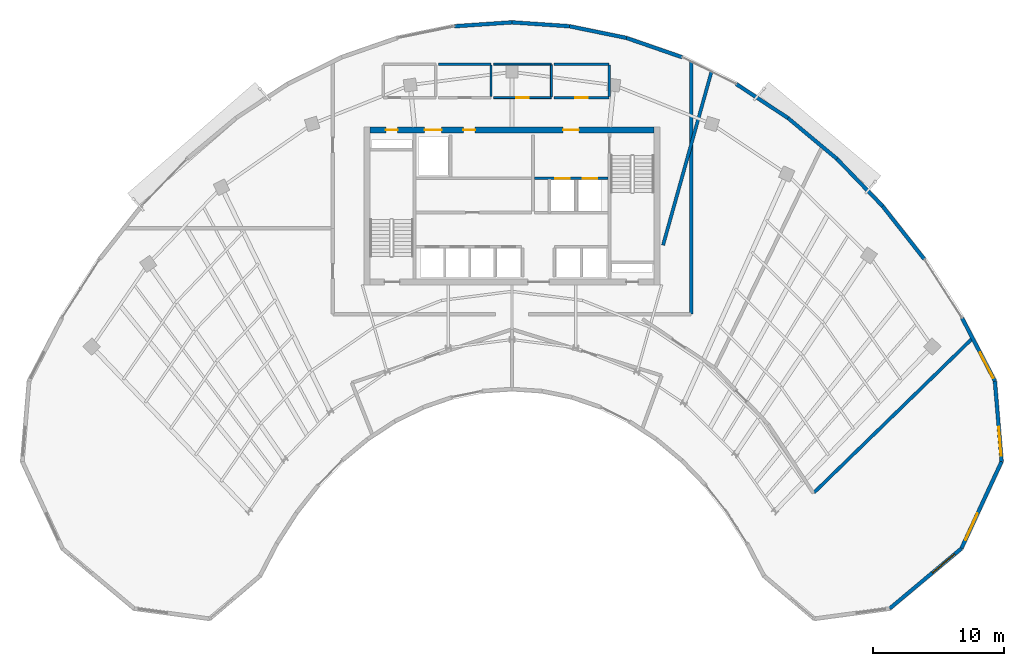
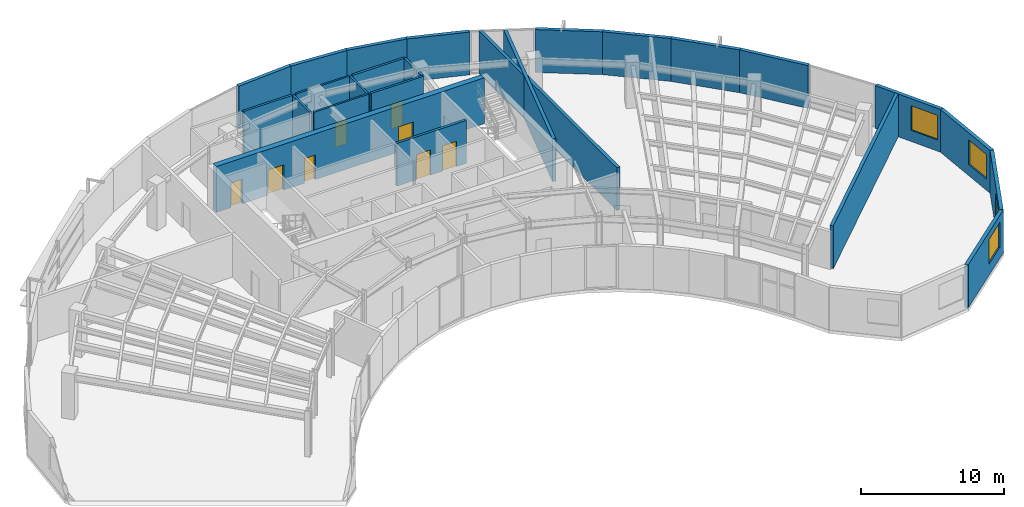
# One storey, part 10 of 13: 25 walls, 8 doors, 4 windows, 12 openings.
"""IFC4 building model written with IfcOpenShell, lengths in metres."""

from ifc_helpers import new_model, si_unit, direction, frame, frame_2d, origin, place, context, subcontext, project, spatial, rectangle, extrude, source, transform, mapped, material, layer, layer_set, type_object, type_shapes, element, fill, save


model = new_model("IFC4")

# Units and contexts
model_context = context("Model", 3, precision=1e-05, world=origin(), true_north=direction((0.0, 1.0)))
body_context = subcontext(model_context, "Body", "Model", "MODEL_VIEW")
ifc_project = project(units=[si_unit("LENGTHUNIT", "METRE"), si_unit("AREAUNIT", "SQUARE_METRE"), si_unit("VOLUMEUNIT", "CUBIC_METRE"), si_unit("PLANEANGLEUNIT", "RADIAN"), si_unit("MASSUNIT", "GRAM", prefix="KILO")], contexts=[model_context])

# Site, building, storey
site_placement = place(None, origin())
site = spatial("IfcSite", under=ifc_project, at=site_placement, CompositionType="ELEMENT")
building_placement = place(site_placement, origin())
building = spatial("IfcBuilding", under=site, at=building_placement, Name="Breltana Convention Tower", CompositionType="ELEMENT")
storey_placement = place(building_placement, frame((0.0, 0.0, 227.39990234375)))
storey = spatial("IfcBuildingStorey", under=building, at=storey_placement, Name="L55", CompositionType="ELEMENT", Elevation=227.39990234375)

# Wall, openings, doors
ifc_material_1 = material(Name="Concrete C60/75", Category="concrete")
ifc_layer_1 = layer(ifc_material_1, 0.449951171875, Name="Concrete C60/75")
ifc_layer_set_1 = layer_set([ifc_layer_1], Name="Concrete C60/75")
wall_type_1 = type_object("IfcWallType", Name="SW-CORE-450", PredefinedType="SHEAR", material=ifc_layer_set_1)
shared_shape_1 = source(origin(), body_context, "Body", "SweptSolid", [
    extrude(rectangle(XDim=21.60009765625, YDim=0.449951171875, at=frame_2d((10.800048828125, 0.0))), origin(), (0.0, 0.0, 1.0), 3.900146484375),
])
wall_1_placement = place(storey_placement, frame((37.199951171875, 71.97509765625, 0.0), z_axis=(0.0, 0.0, 1.0), x_axis=(1.0, 0.0, 0.0)))
wall_1 = element("IfcWall", 1, at=wall_1_placement, inside=storey, type_object=wall_type_1, Name="L55 North Core Shear Wall", PredefinedType="SHEAR", context=body_context, shape_type="MappedRepresentation", body=[
    mapped(shared_shape_1, transform((0.0, 0.0, 0.0), scale=1.0)),
])
opening_1_placement = place(wall_1_placement, frame((1.199951171875, 0.0, 0.0)))
opening_1 = element("IfcOpeningElement", 2, at=opening_1_placement, cuts=wall_1, Name="Opening D-18", PredefinedType="OPENING", context=body_context, shape_type="SweptSolid", body=[
    extrude(rectangle(XDim=0.89990234375, YDim=2.10009765625, at=frame_2d((0.449951171875, 1.050048828125))), frame((0.0, 0.23486328125, 0.0), z_axis=(0.0, -1.0, 0.0), x_axis=(1.0, 0.0, 0.0)), (0.0, 0.0, 1.0), 0.469970703125),
])
opening_2_placement = place(wall_1_placement, frame((14.699951171875, 0.0, 0.0)))
opening_2 = element("IfcOpeningElement", 3, at=opening_2_placement, cuts=wall_1, Name="Opening D-09", PredefinedType="OPENING", context=body_context, shape_type="SweptSolid", body=[
    extrude(rectangle(XDim=1.199951171875, YDim=2.14990234375, at=frame_2d((0.60009765625, 1.074951171875))), frame((0.0, 0.23486328125, 0.0), z_axis=(0.0, -1.0, 0.0), x_axis=(1.0, 0.0, 0.0)), (0.0, 0.0, 1.0), 0.469970703125),
])
opening_3_placement = place(wall_1_placement, frame((4.14990234375, 0.0, 0.0)))
opening_3 = element("IfcOpeningElement", 4, at=opening_3_placement, cuts=wall_1, Name="Opening LD-01", PredefinedType="OPENING", context=body_context, shape_type="SweptSolid", body=[
    extrude(rectangle(XDim=1.300048828125, YDim=2.14990234375, at=frame_2d((0.64990234375, 1.074951171875))), frame((0.0, 0.23486328125, 0.0), z_axis=(0.0, -1.0, 0.0), x_axis=(1.0, 0.0, 0.0)), (0.0, 0.0, 1.0), 0.469970703125),
])
opening_4_placement = place(wall_1_placement, frame((7.10009765625, 0.0, 0.0)))
opening_4 = element("IfcOpeningElement", 5, at=opening_4_placement, cuts=wall_1, Name="Opening D-18", PredefinedType="OPENING", context=body_context, shape_type="SweptSolid", body=[
    extrude(rectangle(XDim=0.89990234375, YDim=2.10009765625, at=frame_2d((0.449951171875, 1.050048828125))), frame((0.0, 0.23486328125, 0.0), z_axis=(0.0, -1.0, 0.0), x_axis=(1.0, 0.0, 0.0)), (0.0, 0.0, 1.0), 0.469970703125),
])
ifc_material_2 = material(Name="Steel Riser Fire Door", Category="steel")
door_type_1 = type_object("IfcDoorType", Name="DR-FD60-900", OperationType="NOTDEFINED", PredefinedType="DOOR", material=ifc_material_2)
shared_shape_2 = source(origin(), body_context, "Body", "SweptSolid", [
    extrude(rectangle(XDim=0.89990234375, YDim=2.10009765625, at=frame_2d((0.449951171875, 1.050048828125))), frame((0.0, 0.02490234375, 0.0), z_axis=(0.0, -1.0, 0.0), x_axis=(1.0, 0.0, 0.0)), (0.0, 0.0, 1.0), 0.050048828125),
])
type_shapes(door_type_1, [shared_shape_2])
door_1_placement = place(opening_1_placement, origin())
door_1 = element("IfcDoor", 6, at=door_1_placement, inside=storey, type_object=door_type_1, Name="L55 Core Riser Access Door D-L55-RS1", OperationType="SINGLE_SWING_LEFT", OverallHeight=2.10009765625, OverallWidth=0.89990234375, PredefinedType="DOOR", context=body_context, shape_type="MappedRepresentation", body=[
    mapped(shared_shape_2, transform((0.0, 0.0, 0.0), scale=1.0)),
])
fill(opening_1, door_1)
door_2_placement = place(opening_4_placement, origin())
door_2 = element("IfcDoor", 7, at=door_2_placement, inside=storey, type_object=door_type_1, Name="L55 interior door D-L55-CRA1", OperationType="SINGLE_SWING_LEFT", OverallHeight=2.10009765625, OverallWidth=0.89990234375, PredefinedType="DOOR", context=body_context, shape_type="MappedRepresentation", body=[
    mapped(shared_shape_2, transform((0.0, 0.0, 0.0), scale=1.0)),
])
fill(opening_4, door_2)
ifc_material_3 = material(Name="Steel Fire Lobby Door", Category="steel")
door_type_2 = type_object("IfcDoorType", Name="DR-FD120-1200", OperationType="NOTDEFINED", PredefinedType="DOOR", material=ifc_material_3)
shared_shape_3 = source(origin(), body_context, "Body", "SweptSolid", [
    extrude(rectangle(XDim=1.199951171875, YDim=2.14990234375, at=frame_2d((0.60009765625, 1.074951171875))), frame((0.0, 0.02490234375, 0.0), z_axis=(0.0, -1.0, 0.0), x_axis=(1.0, 0.0, 0.0)), (0.0, 0.0, 1.0), 0.050048828125),
])
type_shapes(door_type_2, [shared_shape_3])
door_3_placement = place(opening_2_placement, origin())
door_3 = element("IfcDoor", 8, at=door_3_placement, inside=storey, type_object=door_type_2, Name="L55 interior door D-L55-FFL-N", OperationType="SINGLE_SWING_RIGHT", OverallHeight=2.14990234375, OverallWidth=1.199951171875, PredefinedType="DOOR", context=body_context, shape_type="MappedRepresentation", body=[
    mapped(shared_shape_3, transform((0.0, 0.0, 0.0), scale=1.0)),
])
fill(opening_2, door_3)
ifc_material_4 = material(Name="Stainless Steel Brushed", Category="steel")
door_type_3 = type_object("IfcDoorType", Name="DR-LD-SRV-1300", OperationType="DOUBLE_DOOR_SLIDING", PredefinedType="DOOR", material=ifc_material_4)
shared_shape_4 = source(origin(), body_context, "Body", "SweptSolid", [
    extrude(rectangle(XDim=1.300048828125, YDim=2.14990234375, at=frame_2d((0.64990234375, 1.074951171875))), frame((0.0, 0.02490234375, 0.0), z_axis=(0.0, -1.0, 0.0), x_axis=(1.0, 0.0, 0.0)), (0.0, 0.0, 1.0), 0.050048828125),
])
type_shapes(door_type_3, [shared_shape_4])
door_4_placement = place(opening_3_placement, origin())
door_4 = element("IfcDoor", 9, at=door_4_placement, inside=storey, type_object=door_type_3, Name="L55 Lift Landing Door D-L55-LD-SV1", OperationType="DOUBLE_DOOR_SLIDING", OverallHeight=2.14990234375, OverallWidth=1.300048828125, PredefinedType="DOOR", context=body_context, shape_type="MappedRepresentation", body=[
    mapped(shared_shape_4, transform((0.0, 0.0, 0.0), scale=1.0)),
])
fill(opening_3, door_4)

# Wall, opening, window
ifc_material_5 = material(Name="Limestone Buff Insulated Wall", Category="masonry")
ifc_layer_2 = layer(ifc_material_5, 0.280029296875, Name="Limestone Buff Insulated Wall")
ifc_layer_set_2 = layer_set([ifc_layer_2], Name="Limestone Buff Insulated Wall")
wall_type_2 = type_object("IfcWallType", Name="WL-EXT-NOSE-280", PredefinedType="SOLIDWALL", material=ifc_layer_set_2)
shared_shape_5 = source(origin(), body_context, "Body", "SweptSolid", [
    extrude(rectangle(XDim=6.145751953125, YDim=0.280029296875, at=frame_2d((3.07275390625, 0.0))), origin(), (0.0, 0.0, 1.0), 3.650146484375),
])
wall_2_placement = place(storey_placement, frame((84.756103515625, 52.87353515625, 0.0), z_axis=(0.0, 0.0, 1.0), x_axis=(0.083301904456, -0.996524356307, 0.0)))
wall_2 = element("IfcWall", 10, at=wall_2_placement, inside=storey, type_object=wall_type_2, Name="L55 curved limestone nose wall E1", PredefinedType="SOLIDWALL", context=body_context, shape_type="MappedRepresentation", body=[
    mapped(shared_shape_5, transform((0.0, 0.0, 0.0), scale=1.0)),
])
opening_5_placement = place(wall_2_placement, frame((3.50927734375, 0.0, 0.949951171875)))
opening_5 = element("IfcOpeningElement", 11, at=opening_5_placement, cuts=wall_2, Name="Opening W-03", PredefinedType="OPENING", context=body_context, shape_type="SweptSolid", body=[
    extrude(rectangle(XDim=2.199951171875, YDim=2.10009765625, at=frame_2d((1.10009765625, 1.050048828125))), frame((0.0, 0.14990234375, 0.0), z_axis=(0.0, -1.0, 0.0), x_axis=(1.0, 0.0, 0.0)), (0.0, 0.0, 1.0), 0.300048828125),
])
ifc_material_6 = material(Name="Glass Low-E Insulated Window", Category="glass")
window_type = type_object("IfcWindowType", Name="WN-NOSE-2200X2100", PartitioningType="TRIPLE_PANEL_VERTICAL", PredefinedType="WINDOW", material=ifc_material_6)
shared_shape_6 = source(origin(), body_context, "Body", "SweptSolid", [
    extrude(rectangle(XDim=2.199951171875, YDim=2.10009765625, at=frame_2d((1.10009765625, 1.050048828125))), frame((0.0, 0.030029296875, 0.0), z_axis=(0.0, -1.0, 0.0), x_axis=(1.0, 0.0, 0.0)), (0.0, 0.0, 1.0), 0.06005859375),
])
type_shapes(window_type, [shared_shape_6])
window_1_placement = place(opening_5_placement, origin())
window_1 = element("IfcWindow", 12, at=window_1_placement, inside=storey, type_object=window_type, Name="L55 nose window E1", OverallHeight=2.10009765625, OverallWidth=2.199951171875, PartitioningType="TRIPLE_PANEL_VERTICAL", PredefinedType="WINDOW", context=body_context, shape_type="MappedRepresentation", body=[
    mapped(shared_shape_6, transform((0.0, 0.0, 0.0), scale=1.0)),
])
fill(opening_5, window_1)

shared_shape_7 = source(origin(), body_context, "Body", "SweptSolid", [
    extrude(rectangle(XDim=7.29150390625, YDim=0.280029296875, at=frame_2d((3.645751953125, 0.0))), origin(), (0.0, 0.0, 1.0), 3.650146484375),
])
wall_3_placement = place(storey_placement, frame((85.26806640625, 46.7490234375, 0.0), z_axis=(0.0, 0.0, 1.0), x_axis=(-0.419642001049, -0.907689699708, 0.0)))
wall_3 = element("IfcWall", 13, at=wall_3_placement, inside=storey, type_object=wall_type_2, Name="L55 curved limestone nose wall E2", PredefinedType="SOLIDWALL", context=body_context, shape_type="MappedRepresentation", body=[
    mapped(shared_shape_7, transform((0.0, 0.0, 0.0), scale=1.0)),
])
opening_6_placement = place(wall_3_placement, frame((4.36865234375, 0.0, 0.949951171875)))
opening_6 = element("IfcOpeningElement", 14, at=opening_6_placement, cuts=wall_3, Name="Opening W-03", PredefinedType="OPENING", context=body_context, shape_type="SweptSolid", body=[
    extrude(rectangle(XDim=2.199951171875, YDim=2.10009765625, at=frame_2d((1.10009765625, 1.050048828125))), frame((0.0, 0.14990234375, 0.0), z_axis=(0.0, -1.0, 0.0), x_axis=(1.0, 0.0, 0.0)), (0.0, 0.0, 1.0), 0.300048828125),
])
window_2_placement = place(opening_6_placement, origin())
window_2 = element("IfcWindow", 15, at=window_2_placement, inside=storey, type_object=window_type, Name="L55 nose window E2", OverallHeight=2.10009765625, OverallWidth=2.199951171875, PartitioningType="TRIPLE_PANEL_VERTICAL", PredefinedType="WINDOW", context=body_context, shape_type="MappedRepresentation", body=[
    mapped(shared_shape_6, transform((0.0, 0.0, 0.0), scale=1.0)),
])
fill(opening_6, window_2)

shared_shape_8 = source(origin(), body_context, "Body", "SweptSolid", [
    extrude(rectangle(XDim=7.11962890625, YDim=0.280029296875, at=frame_2d((3.559814453125, 0.0))), origin(), (0.0, 0.0, 1.0), 3.650146484375),
])
wall_4_placement = place(storey_placement, frame((82.208251953125, 40.130615234375, 0.0), z_axis=(0.0, 0.0, 1.0), x_axis=(-0.766709783564, -0.641993853387, 0.0)))
wall_4 = element("IfcWall", 16, at=wall_4_placement, inside=storey, type_object=wall_type_2, Name="L55 curved limestone nose wall E3", PredefinedType="SOLIDWALL", context=body_context, shape_type="MappedRepresentation", body=[
    mapped(shared_shape_8, transform((0.0, 0.0, 0.0), scale=1.0)),
])
opening_7_placement = place(wall_4_placement, frame((0.679931640625, 0.0, 0.949951171875)))
opening_7 = element("IfcOpeningElement", 17, at=opening_7_placement, cuts=wall_4, Name="Opening W-03", PredefinedType="OPENING", context=body_context, shape_type="SweptSolid", body=[
    extrude(rectangle(XDim=2.199951171875, YDim=2.10009765625, at=frame_2d((1.10009765625, 1.050048828125))), frame((0.0, 0.14990234375, 0.0), z_axis=(0.0, -1.0, 0.0), x_axis=(1.0, 0.0, 0.0)), (0.0, 0.0, 1.0), 0.300048828125),
])
window_3_placement = place(opening_7_placement, origin())
window_3 = element("IfcWindow", 18, at=window_3_placement, inside=storey, type_object=window_type, Name="L55 nose window E3", OverallHeight=2.10009765625, OverallWidth=2.199951171875, PartitioningType="TRIPLE_PANEL_VERTICAL", PredefinedType="WINDOW", context=body_context, shape_type="MappedRepresentation", body=[
    mapped(shared_shape_6, transform((0.0, 0.0, 0.0), scale=1.0)),
])
fill(opening_7, window_3)

shared_shape_9 = source(origin(), body_context, "Body", "SweptSolid", [
    extrude(rectangle(XDim=5.41552734375, YDim=0.280029296875, at=frame_2d((2.707763671875, 0.0))), origin(), (0.0, 0.0, 1.0), 3.650146484375),
])
wall_5_placement = place(storey_placement, frame((82.25537109375, 57.677001953125, 0.0), z_axis=(0.0, 0.0, 1.0), x_axis=(0.46177852435, -0.886995261796, 0.0)))
wall_5 = element("IfcWall", 19, at=wall_5_placement, inside=storey, type_object=wall_type_2, Name="L55 curved limestone nose wall E33", PredefinedType="SOLIDWALL", context=body_context, shape_type="MappedRepresentation", body=[
    mapped(shared_shape_9, transform((0.0, 0.0, 0.0), scale=1.0)),
])
opening_8_placement = place(wall_5_placement, frame((2.961669921875, 0.0, 0.949951171875)))
opening_8 = element("IfcOpeningElement", 20, at=opening_8_placement, cuts=wall_5, Name="Opening W-03", PredefinedType="OPENING", context=body_context, shape_type="SweptSolid", body=[
    extrude(rectangle(XDim=2.199951171875, YDim=2.10009765625, at=frame_2d((1.10009765625, 1.050048828125))), frame((0.0, 0.14990234375, 0.0), z_axis=(0.0, -1.0, 0.0), x_axis=(1.0, 0.0, 0.0)), (0.0, 0.0, 1.0), 0.300048828125),
])
window_4_placement = place(opening_8_placement, origin())
window_4 = element("IfcWindow", 21, at=window_4_placement, inside=storey, type_object=window_type, Name="L55 nose window E33", OverallHeight=2.10009765625, OverallWidth=2.199951171875, PartitioningType="TRIPLE_PANEL_VERTICAL", PredefinedType="WINDOW", context=body_context, shape_type="MappedRepresentation", body=[
    mapped(shared_shape_6, transform((0.0, 0.0, 0.0), scale=1.0)),
])
fill(opening_8, window_4)

# Walls
shared_shape_10 = source(origin(), body_context, "Body", "SweptSolid", [
    extrude(rectangle(XDim=5.153076171875, YDim=0.280029296875, at=frame_2d((2.57666015625, 0.0))), origin(), (0.0, 0.0, 1.0), 3.650146484375),
])
wall_6_placement = place(storey_placement, frame((76.205322265625, 66.190185546875, 0.0), z_axis=(0.0, 0.0, 1.0), x_axis=(0.618179283891, -0.786037132054, 0.0)))
element("IfcWall", 22, at=wall_6_placement, inside=storey, type_object=wall_type_2, Name="L55 curved limestone nose wall E32", PredefinedType="SOLIDWALL", context=body_context, shape_type="MappedRepresentation", body=[
    mapped(shared_shape_10, transform((0.0, 0.0, 0.0), scale=1.0)),
])
shared_shape_11 = source(origin(), body_context, "Body", "SweptSolid", [
    extrude(rectangle(XDim=4.851806640625, YDim=0.280029296875, at=frame_2d((2.42578125, 0.0))), origin(), (0.0, 0.0, 1.0), 3.650146484375),
])
wall_7_placement = place(storey_placement, frame((69.006103515625, 72.8955078125, 0.0), z_axis=(0.0, 0.0, 1.0), x_axis=(0.767936605821, -0.640525853843, 0.0)))
element("IfcWall", 23, at=wall_7_placement, inside=storey, type_object=wall_type_2, Name="L55 curved limestone nose wall E30", PredefinedType="SOLIDWALL", context=body_context, shape_type="MappedRepresentation", body=[
    mapped(shared_shape_11, transform((0.0, 0.0, 0.0), scale=1.0)),
])
shared_shape_12 = source(origin(), body_context, "Body", "SweptSolid", [
    extrude(rectangle(XDim=4.712646484375, YDim=0.280029296875, at=frame_2d((2.3564453125, 0.0))), origin(), (0.0, 0.0, 1.0), 3.650146484375),
])
wall_8_placement = place(storey_placement, frame((65.06640625, 75.481689453125, 0.0), z_axis=(0.0, 0.0, 1.0), x_axis=(0.835974386457, -0.548768462275, 0.0)))
element("IfcWall", 24, at=wall_8_placement, inside=storey, type_object=wall_type_2, Name="L55 curved limestone nose wall E29", PredefinedType="SOLIDWALL", context=body_context, shape_type="MappedRepresentation", body=[
    mapped(shared_shape_12, transform((0.0, 0.0, 0.0), scale=1.0)),
])
shared_shape_13 = source(origin(), body_context, "Body", "SweptSolid", [
    extrude(rectangle(XDim=4.4921875, YDim=0.280029296875, at=frame_2d((2.24609375, 0.0))), origin(), (0.0, 0.0, 1.0), 3.650146484375),
])
wall_9_placement = place(storey_placement, frame((56.708984375, 78.9912109375, 0.0), z_axis=(0.0, 0.0, 1.0), x_axis=(0.944872297412, -0.32743906545, 0.0)))
element("IfcWall", 25, at=wall_9_placement, inside=storey, type_object=wall_type_2, Name="L55 curved limestone nose wall E28", PredefinedType="SOLIDWALL", context=body_context, shape_type="MappedRepresentation", body=[
    mapped(shared_shape_13, transform((0.0, 0.0, 0.0), scale=1.0)),
])
shared_shape_14 = source(origin(), body_context, "Body", "SweptSolid", [
    extrude(rectangle(XDim=4.38671875, YDim=0.280029296875, at=frame_2d((2.193359375, 0.0))), origin(), (0.0, 0.0, 1.0), 3.650146484375),
])
for number, where, z_axis, x_axis, name in (
    (26, (43.623291015625, 79.87939453125, 0.0), (0.0, 0.0, 1.0), (0.997703650546, 0.06773053733, 0.0), "L55 curved limestone nose wall E25"),
    (27, (48.0, 80.176513671875, 0.0), (0.0, 0.0, 1.0), (0.997703650546, -0.06773053733, 0.0), "L55 curved limestone nose wall E26"),
):
    element("IfcWall", number, at=place(storey_placement, frame(where, z_axis=z_axis, x_axis=x_axis)), inside=storey, type_object=wall_type_2, Name=name, PredefinedType="SOLIDWALL", context=body_context, shape_type="MappedRepresentation", body=[
        mapped(shared_shape_14, transform((0.0, 0.0, 0.0), scale=1.0)),
    ])
shared_shape_15 = source(origin(), body_context, "Body", "SweptSolid", [
    extrude(rectangle(XDim=4.42236328125, YDim=0.280029296875, at=frame_2d((2.211181640625, 0.0))), origin(), (0.0, 0.0, 1.0), 3.650146484375),
])
wall_10_placement = place(storey_placement, frame((52.376708984375, 79.87939453125, 0.0), z_axis=(0.0, 0.0, 1.0), x_axis=(0.979624428875, -0.200838189476, 0.0)))
element("IfcWall", 28, at=wall_10_placement, inside=storey, type_object=wall_type_2, Name="L55 curved limestone nose wall E27", PredefinedType="SOLIDWALL", context=body_context, shape_type="MappedRepresentation", body=[
    mapped(shared_shape_15, transform((0.0, 0.0, 0.0), scale=1.0)),
])
shared_shape_16 = source(origin(), body_context, "Body", "SweptSolid", [
    extrude(rectangle(XDim=5.000732421875, YDim=0.280029296875, at=frame_2d((2.50048828125, 0.0))), origin(), (0.0, 0.0, 1.0), 3.650146484375),
])
wall_11_placement = place(storey_placement, frame((72.73193359375, 69.787841796875, 0.0), z_axis=(0.0, 0.0, 1.0), x_axis=(0.694572731818, -0.719422490762, 0.0)))
element("IfcWall", 29, at=wall_11_placement, inside=storey, type_object=wall_type_2, Name="L55 curved limestone nose wall E31", PredefinedType="SOLIDWALL", context=body_context, shape_type="MappedRepresentation", body=[
    mapped(shared_shape_16, transform((0.0, 0.0, 0.0), scale=1.0)),
])

# Wall, openings, doors
ifc_material_7 = material(Name="Autoclaved Aerated Concrete Block", Category="concrete")
ifc_layer_3 = layer(ifc_material_7, 0.199951171875, Name="Autoclaved Aerated Concrete Block")
ifc_layer_set_3 = layer_set([ifc_layer_3], Name="Autoclaved Aerated Concrete Block")
wall_type_3 = type_object("IfcWallType", Name="WL-SHAFT-200", PredefinedType="SOLIDWALL", material=ifc_layer_set_3)
shared_shape_17 = source(origin(), body_context, "Body", "SweptSolid", [
    extrude(rectangle(XDim=5.6201171875, YDim=0.199951171875, at=frame_2d((2.81005859375, 0.0))), origin(), (0.0, 0.0, 1.0), 3.650146484375),
])
wall_12_placement = place(storey_placement, frame((49.699951171875, 68.300048828125, 0.0), z_axis=(0.0, 0.0, 1.0), x_axis=(1.0, 0.0, 0.0)))
wall_12 = element("IfcWall", 30, at=wall_12_placement, inside=storey, type_object=wall_type_3, Name="L55 interior partition W-L55-FFL-S", PredefinedType="SOLIDWALL", context=body_context, shape_type="MappedRepresentation", body=[
    mapped(shared_shape_17, transform((0.0, 0.0, 0.0), scale=1.0)),
])
opening_9_placement = place(wall_12_placement, frame((1.60009765625, 0.0, 0.0)))
opening_9 = element("IfcOpeningElement", 31, at=opening_9_placement, cuts=wall_12, Name="Opening LD-03", PredefinedType="OPENING", context=body_context, shape_type="SweptSolid", body=[
    extrude(rectangle(XDim=1.10009765625, YDim=2.14990234375, at=frame_2d((0.550048828125, 1.074951171875))), frame((0.0, 0.10986328125, 0.0), z_axis=(0.0, -1.0, 0.0), x_axis=(1.0, 0.0, 0.0)), (0.0, 0.0, 1.0), 0.219970703125),
])
opening_10_placement = place(wall_12_placement, frame((3.699951171875, 0.0, 0.0)))
opening_10 = element("IfcOpeningElement", 32, at=opening_10_placement, cuts=wall_12, Name="Opening LD-03", PredefinedType="OPENING", context=body_context, shape_type="SweptSolid", body=[
    extrude(rectangle(XDim=1.10009765625, YDim=2.14990234375, at=frame_2d((0.550048828125, 1.074951171875))), frame((0.0, 0.10986328125, 0.0), z_axis=(0.0, -1.0, 0.0), x_axis=(1.0, 0.0, 0.0)), (0.0, 0.0, 1.0), 0.219970703125),
])
door_type_4 = type_object("IfcDoorType", Name="DR-LD-FF-1100", OperationType="DOUBLE_DOOR_SLIDING", PredefinedType="DOOR", material=ifc_material_4)
shared_shape_18 = source(origin(), body_context, "Body", "SweptSolid", [
    extrude(rectangle(XDim=1.10009765625, YDim=2.14990234375, at=frame_2d((0.550048828125, 1.074951171875))), frame((0.0, 0.02490234375, 0.0), z_axis=(0.0, -1.0, 0.0), x_axis=(1.0, 0.0, 0.0)), (0.0, 0.0, 1.0), 0.050048828125),
])
type_shapes(door_type_4, [shared_shape_18])
door_5_placement = place(opening_9_placement, origin())
door_5 = element("IfcDoor", 33, at=door_5_placement, inside=storey, type_object=door_type_4, Name="L55 Lift Landing Door D-L55-LD-FL1", OperationType="DOUBLE_DOOR_SLIDING", OverallHeight=2.14990234375, OverallWidth=1.10009765625, PredefinedType="DOOR", context=body_context, shape_type="MappedRepresentation", body=[
    mapped(shared_shape_18, transform((0.0, 0.0, 0.0), scale=1.0)),
])
fill(opening_9, door_5)
door_6_placement = place(opening_10_placement, origin())
door_6 = element("IfcDoor", 34, at=door_6_placement, inside=storey, type_object=door_type_4, Name="L55 Lift Landing Door D-L55-LD-FL2", OperationType="DOUBLE_DOOR_SLIDING", OverallHeight=2.14990234375, OverallWidth=1.10009765625, PredefinedType="DOOR", context=body_context, shape_type="MappedRepresentation", body=[
    mapped(shared_shape_18, transform((0.0, 0.0, 0.0), scale=1.0)),
])
fill(opening_10, door_6)

# Walls
ifc_material_8 = material(Name="Moisture-Resistant Gypsum Chase Wall")
ifc_layer_4 = layer(ifc_material_8, 0.179931640625, Name="Moisture-Resistant Gypsum Chase Wall")
ifc_layer_set_4 = layer_set([ifc_layer_4], Name="Moisture-Resistant Gypsum Chase Wall")
wall_type_4 = type_object("IfcWallType", Name="WL-PLUMB-180", PredefinedType="PLUMBINGWALL", material=ifc_layer_set_4)
shared_shape_19 = source(origin(), body_context, "Body", "SweptSolid", [
    extrude(rectangle(XDim=4.0, YDim=0.179931640625, at=frame_2d((2.0, 0.0))), origin(), (0.0, 0.0, 1.0), 3.650146484375),
])
wall_13_placement = place(storey_placement, frame((42.39990234375, 77.0, 0.0), z_axis=(0.0, 0.0, 1.0), x_axis=(1.0, 0.0, 0.0)))
element("IfcWall", 35, at=wall_13_placement, inside=storey, type_object=wall_type_4, Name="L55 interior partition W-L55-WCF-N", PredefinedType="PLUMBINGWALL", context=body_context, shape_type="MappedRepresentation", body=[
    mapped(shared_shape_19, transform((0.0, 0.0, 0.0), scale=1.0)),
])
ifc_material_9 = material(Name="Cement Board Wet-Area Partition")
ifc_layer_5 = layer(ifc_material_9, 0.175048828125, Name="Cement Board Wet-Area Partition")
ifc_layer_set_5 = layer_set([ifc_layer_5], Name="Cement Board Wet-Area Partition")
wall_type_5 = type_object("IfcWallType", Name="WL-WET-175", PredefinedType="PARTITIONING", material=ifc_layer_set_5)
shared_shape_20 = source(origin(), body_context, "Body", "SweptSolid", [
    extrude(rectangle(XDim=2.402587890625, YDim=0.175048828125, at=frame_2d((1.201171875, 0.0))), origin(), (0.0, 0.0, 1.0), 3.650146484375),
])
for number, where, z_axis, x_axis, name in (
    (36, (46.39990234375, 74.518798828125, 0.0), (0.0, 0.0, 1.0), (0.0, 1.0, 0.0), "L55 interior partition W-L55-WCF-E"),
    (37, (55.39990234375, 74.518798828125, 0.0), (0.0, 0.0, 1.0), (0.0, 1.0, 0.0), "L55 interior partition W-L55-WCA-E"),
):
    element("IfcWall", number, at=place(storey_placement, frame(where, z_axis=z_axis, x_axis=x_axis)), inside=storey, type_object=wall_type_5, Name=name, PredefinedType="PARTITIONING", context=body_context, shape_type="MappedRepresentation", body=[
        mapped(shared_shape_20, transform((0.0, 0.0, 0.0), scale=1.0)),
    ])

# Wall, opening, door
ifc_material_10 = material(Name="Gypsum Acoustic Drywall Partition")
ifc_layer_6 = layer(ifc_material_10, 0.14990234375, Name="Gypsum Acoustic Drywall Partition")
ifc_layer_set_6 = layer_set([ifc_layer_6], Name="Gypsum Acoustic Drywall Partition")
wall_type_6 = type_object("IfcWallType", Name="WL-PART-150", PredefinedType="PARTITIONING", material=ifc_layer_set_6)
shared_shape_21 = source(origin(), body_context, "Body", "SweptSolid", [
    extrude(rectangle(XDim=4.39990234375, YDim=0.14990234375, at=frame_2d((2.199951171875, 0.0))), origin(), (0.0, 0.0, 1.0), 3.650146484375),
])
wall_14_placement = place(storey_placement, frame((46.60009765625, 74.43994140625, 0.0), z_axis=(0.0, 0.0, 1.0), x_axis=(1.0, 0.0, 0.0)))
wall_14 = element("IfcWall", 38, at=wall_14_placement, inside=storey, type_object=wall_type_6, Name="L55 interior partition W-L55-PNT-S", PredefinedType="PARTITIONING", context=body_context, shape_type="MappedRepresentation", body=[
    mapped(shared_shape_21, transform((0.0, 0.0, 0.0), scale=1.0)),
])
opening_11_placement = place(wall_14_placement, frame((1.72509765625, 0.0, 0.0)))
opening_11 = element("IfcOpeningElement", 39, at=opening_11_placement, cuts=wall_14, Name="Opening D-17", PredefinedType="OPENING", context=body_context, shape_type="SweptSolid", body=[
    extrude(rectangle(XDim=0.949951171875, YDim=2.10009765625, at=frame_2d((0.47509765625, 1.050048828125))), frame((0.0, 0.0849609375, 0.0), z_axis=(0.0, -1.0, 0.0), x_axis=(1.0, 0.0, 0.0)), (0.0, 0.0, 1.0), 0.169921875),
])
ifc_material_11 = material(Name="Timber Oak Veneer Door", Category="wood")
door_type_5 = type_object("IfcDoorType", Name="DR-INT-950", OperationType="NOTDEFINED", PredefinedType="DOOR", material=ifc_material_11)
shared_shape_22 = source(origin(), body_context, "Body", "SweptSolid", [
    extrude(rectangle(XDim=0.949951171875, YDim=2.10009765625, at=frame_2d((0.47509765625, 1.050048828125))), frame((0.0, 0.02490234375, 0.0), z_axis=(0.0, -1.0, 0.0), x_axis=(1.0, 0.0, 0.0)), (0.0, 0.0, 1.0), 0.050048828125),
])
type_shapes(door_type_5, [shared_shape_22])
door_7_placement = place(opening_11_placement, origin())
door_7 = element("IfcDoor", 40, at=door_7_placement, inside=storey, type_object=door_type_5, Name="L55 interior door D-L55-PNT", OperationType="SINGLE_SWING_LEFT", OverallHeight=2.10009765625, OverallWidth=0.949951171875, PredefinedType="DOOR", context=body_context, shape_type="MappedRepresentation", body=[
    mapped(shared_shape_22, transform((0.0, 0.0, 0.0), scale=1.0)),
])
fill(opening_11, door_7)

# Walls
wall_15_placement = place(storey_placement, frame((46.60009765625, 77.0, 0.0), z_axis=(0.0, 0.0, 1.0), x_axis=(1.0, 0.0, 0.0)))
element("IfcWall", 41, at=wall_15_placement, inside=storey, type_object=wall_type_6, Name="L55 interior partition W-L55-PNT-N", PredefinedType="PARTITIONING", context=body_context, shape_type="MappedRepresentation", body=[
    mapped(shared_shape_21, transform((0.0, 0.0, 0.0), scale=1.0)),
])
shared_shape_23 = source(origin(), body_context, "Body", "SweptSolid", [
    extrude(rectangle(XDim=2.425048828125, YDim=0.14990234375, at=frame_2d((1.21240234375, 0.0))), origin(), (0.0, 0.0, 1.0), 3.650146484375),
])
wall_16_placement = place(storey_placement, frame((51.0, 74.507568359375, 0.0), z_axis=(0.0, 0.0, 1.0), x_axis=(0.0, 1.0, 0.0)))
element("IfcWall", 42, at=wall_16_placement, inside=storey, type_object=wall_type_6, Name="L55 interior partition W-L55-PNT-E", PredefinedType="PARTITIONING", context=body_context, shape_type="MappedRepresentation", body=[
    mapped(shared_shape_23, transform((0.0, 0.0, 0.0), scale=1.0)),
])

# Wall, opening, door
shared_shape_24 = source(origin(), body_context, "Body", "SweptSolid", [
    extrude(rectangle(XDim=4.199951171875, YDim=0.175048828125, at=frame_2d((2.10009765625, 0.0))), origin(), (0.0, 0.0, 1.0), 3.650146484375),
])
wall_17_placement = place(storey_placement, frame((51.199951171875, 74.43994140625, 0.0), z_axis=(0.0, 0.0, 1.0), x_axis=(1.0, 0.0, 0.0)))
wall_17 = element("IfcWall", 43, at=wall_17_placement, inside=storey, type_object=wall_type_5, Name="L55 interior partition W-L55-WCA-S", PredefinedType="PARTITIONING", context=body_context, shape_type="MappedRepresentation", body=[
    mapped(shared_shape_24, transform((0.0, 0.0, 0.0), scale=1.0)),
])
opening_12_placement = place(wall_17_placement, frame((1.625, 0.0, 0.0)))
opening_12 = element("IfcOpeningElement", 44, at=opening_12_placement, cuts=wall_17, Name="Opening D-16", PredefinedType="OPENING", context=body_context, shape_type="SweptSolid", body=[
    extrude(rectangle(XDim=0.949951171875, YDim=2.1201171875, at=frame_2d((0.47509765625, 1.06005859375))), frame((0.0, 0.09765625, 0.0), z_axis=(0.0, -1.0, 0.0), x_axis=(1.0, 0.0, 0.0)), (0.0, 0.0, 1.0), 0.195068359375),
])
ifc_material_12 = material(Name="Timber Laminate Accessible Door", Category="wood")
door_type_6 = type_object("IfcDoorType", Name="DR-ACC-950", OperationType="NOTDEFINED", PredefinedType="DOOR", material=ifc_material_12)
shared_shape_25 = source(origin(), body_context, "Body", "SweptSolid", [
    extrude(rectangle(XDim=0.949951171875, YDim=2.1201171875, at=frame_2d((0.47509765625, 1.06005859375))), frame((0.0, 0.02490234375, 0.0), z_axis=(0.0, -1.0, 0.0), x_axis=(1.0, 0.0, 0.0)), (0.0, 0.0, 1.0), 0.050048828125),
])
type_shapes(door_type_6, [shared_shape_25])
door_8_placement = place(opening_12_placement, origin())
door_8 = element("IfcDoor", 45, at=door_8_placement, inside=storey, type_object=door_type_6, Name="L55 interior door D-L55-WCA", OperationType="SINGLE_SWING_RIGHT", OverallHeight=2.1201171875, OverallWidth=0.949951171875, PredefinedType="DOOR", context=body_context, shape_type="MappedRepresentation", body=[
    mapped(shared_shape_25, transform((0.0, 0.0, 0.0), scale=1.0)),
])
fill(opening_12, door_8)

# Walls
shared_shape_26 = source(origin(), body_context, "Body", "SweptSolid", [
    extrude(rectangle(XDim=4.199951171875, YDim=0.179931640625, at=frame_2d((2.10009765625, 0.0))), origin(), (0.0, 0.0, 1.0), 3.650146484375),
])
wall_18_placement = place(storey_placement, frame((51.199951171875, 77.0, 0.0), z_axis=(0.0, 0.0, 1.0), x_axis=(1.0, 0.0, 0.0)))
element("IfcWall", 46, at=wall_18_placement, inside=storey, type_object=wall_type_4, Name="L55 interior partition W-L55-WCA-N", PredefinedType="PLUMBINGWALL", context=body_context, shape_type="MappedRepresentation", body=[
    mapped(shared_shape_26, transform((0.0, 0.0, 0.0), scale=1.0)),
])
ifc_material_13 = material(Name="Gypsum Acoustic Double Stud Wall")
ifc_layer_7 = layer(ifc_material_13, 0.25, Name="Gypsum Acoustic Double Stud Wall")
ifc_layer_set_7 = layer_set([ifc_layer_7], Name="Gypsum Acoustic Double Stud Wall")
wall_type_7 = type_object("IfcWallType", Name="WL-ACOUSTIC-250", PredefinedType="PARTITIONING", material=ifc_layer_set_7)
shared_shape_27 = source(origin(), body_context, "Body", "SweptSolid", [
    extrude(rectangle(XDim=13.693603515625, YDim=0.25, at=frame_2d((6.8466796875, 0.0))), origin(), (0.0, 0.0, 1.0), 3.650146484375),
])
wall_19_placement = place(storey_placement, frame((59.5, 63.2158203125, 0.0), z_axis=(0.0, 0.0, 1.0), x_axis=(0.268753576604, 0.963208967495, 0.0)))
element("IfcWall", 47, at=wall_19_placement, inside=storey, type_object=wall_type_7, Name="L55 interior partition W-L55-EXER1-RA", PredefinedType="PARTITIONING", context=body_context, shape_type="MappedRepresentation", body=[
    mapped(shared_shape_27, transform((0.0, 0.0, 0.0), scale=1.0)),
])
shared_shape_28 = source(origin(), body_context, "Body", "SweptSolid", [
    extrude(rectangle(XDim=16.853759765625, YDim=0.25, at=frame_2d((8.4267578125, 0.0))), origin(), (0.0, 0.0, 1.0), 3.650146484375),
])
wall_20_placement = place(storey_placement, frame((70.97607421875, 44.368896484375, 0.0), z_axis=(0.0, 0.0, 1.0), x_axis=(0.716517105841, 0.697569521294, 0.0)))
element("IfcWall", 48, at=wall_20_placement, inside=storey, type_object=wall_type_7, Name="L55 interior partition W-L55-EXER2-RB", PredefinedType="PARTITIONING", context=body_context, shape_type="MappedRepresentation", body=[
    mapped(shared_shape_28, transform((0.0, 0.0, 0.0), scale=1.0)),
])
shared_shape_29 = source(origin(), body_context, "Body", "SweptSolid", [
    extrude(rectangle(XDim=19.208740234375, YDim=0.25, at=frame_2d((9.6044921875, 0.0))), origin(), (0.0, 0.0, 1.0), 3.650146484375),
])
wall_21_placement = place(storey_placement, frame((61.639892578125, 57.9599609375, 0.0), z_axis=(0.0, 0.0, 1.0), x_axis=(0.0, 1.0, 0.0)))
element("IfcWall", 49, at=wall_21_placement, inside=storey, type_object=wall_type_7, Name="L55 interior partition W-L55-EXER-CL", PredefinedType="PARTITIONING", context=body_context, shape_type="MappedRepresentation", body=[
    mapped(shared_shape_29, transform((0.0, 0.0, 0.0), scale=1.0)),
])

save(model, "model.ifc")
